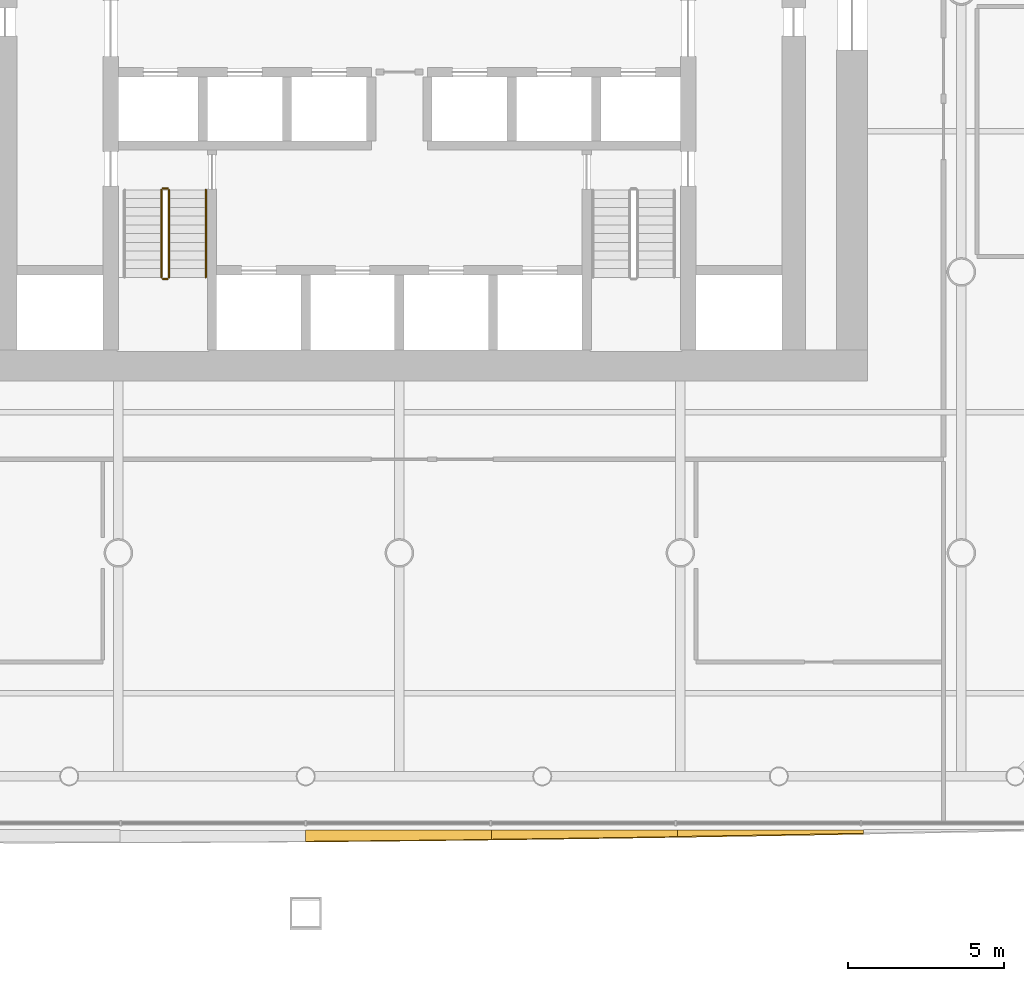
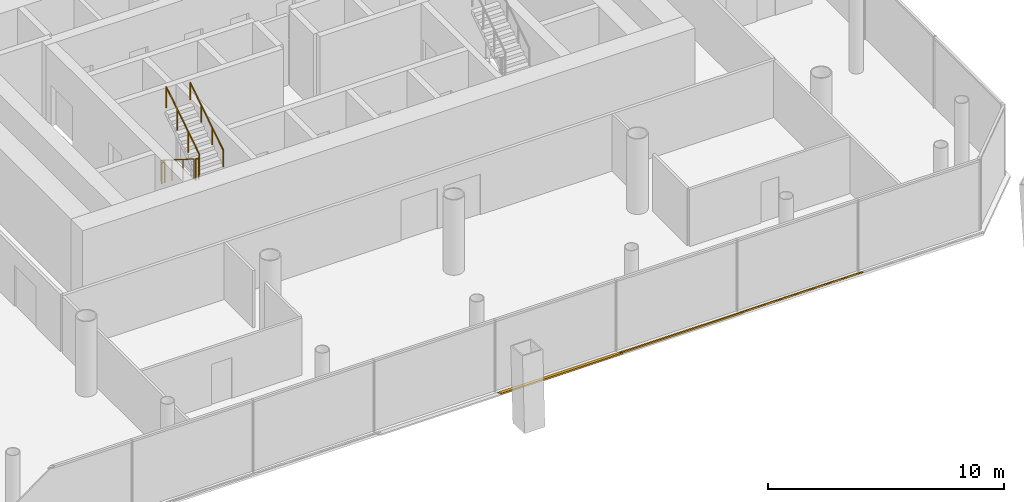
# One storey, part 18 of 21: 5 railings, 3 shading devices.
"""IFC4 building model written with IfcOpenShell, lengths in metres."""

from ifc_helpers import new_model, si_unit, direction, frame, origin, origin_2d, place, context, subcontext, project, spatial, polyline, circle, outline, extrude, material, layer, layer_set, type_object, element, save


model = new_model("IFC4")

# Units and contexts
model_context = context("Model", 3, precision=1e-05, world=origin(), true_north=direction((0.0, 1.0)))
body_context = subcontext(model_context, "Body", "Model", "MODEL_VIEW")
ifc_project = project(units=[si_unit("LENGTHUNIT", "METRE"), si_unit("AREAUNIT", "SQUARE_METRE"), si_unit("VOLUMEUNIT", "CUBIC_METRE"), si_unit("PLANEANGLEUNIT", "RADIAN"), si_unit("MASSUNIT", "GRAM", prefix="KILO")], contexts=[model_context])

# Site, building, storey
site_placement = place(None, origin())
site = spatial("IfcSite", under=ifc_project, at=site_placement, CompositionType="ELEMENT")
building_placement = place(site_placement, origin())
building = spatial("IfcBuilding", under=site, at=building_placement, Name="Tskaro Facet Tower", CompositionType="ELEMENT")
storey_placement = place(building_placement, frame((0.0, 0.0, 38.10009765625)))
storey = spatial("IfcBuildingStorey", under=building, at=storey_placement, Name="L08", CompositionType="ELEMENT", Elevation=38.10009765625)

# Shading devices
ifc_material_1 = material(Name="Bronze anodised aluminium 6063-T6", Category="aluminium")
ifc_layer = layer(ifc_material_1, 0.06005859375, Name="Bronze anodised aluminium 6063-T6")
ifc_layer_set = layer_set([ifc_layer], Name="Bronze anodised aluminium 6063-T6")
shading_device_type = type_object("IfcShadingDeviceType", Name="Bronze sun blade (FN1)", PredefinedType="USERDEFINED", material=ifc_layer_set)
shading_device_1_placement = place(storey_placement, frame((-3.0, -26.878662109375, 0.05419921875), z_axis=(-1.2414085e-05, 0.422835041695, 0.906206669232), x_axis=(0.999999999923, 5.24911e-06, 1.1249727e-05)))
element("IfcShadingDevice", 1, at=shading_device_1_placement, inside=storey, type_object=shading_device_type, Name="Fin blade south 5", ObjectType="FIN", PredefinedType="USERDEFINED", context=body_context, shape_type="SweptSolid", body=[
    extrude(outline(polyline([(0.0, 0.0), (5.95434570266619, 0.0), (5.954345703259251, -0.328432389800294), (5.20996093696609, -0.3383732693104354), (4.465576173235972, -0.34787166509533163), (3.721435545919326, -0.35694235659488693), (2.97705077925922, -0.36579180623181956), (2.2329101570686576, -0.3739775302808846), (1.4885253900416047, -0.3817355500446087), (0.744384766202575, -0.3890510860830876), (-1.1914243210552424e-09, -0.3957176759736029), (0.0, 0.0)])), origin(), (0.0, 0.0, -1.0), 0.06005859375),
])
shading_device_2_placement = place(storey_placement, frame((2.954345703125, -26.8740234375, 0.0517578125), z_axis=(-4.303762e-06, 0.500360745801, 0.865817026884), x_axis=(0.999999999991, 2.153434e-06, 3.726271e-06)))
element("IfcShadingDevice", 2, at=shading_device_2_placement, inside=storey, type_object=shading_device_type, Name="Fin blade south 6", ObjectType="FIN", PredefinedType="USERDEFINED", context=body_context, shape_type="SweptSolid", body=[
    extrude(outline(polyline([(0.0, 0.0), (5.954101562444858, 0.0), (5.954101562120978, -0.2455586146395341), (5.209960937364872, -0.2591253427092104), (4.465576171599775, -0.272358531283599), (3.7211914059764237, -0.28504679925261883), (2.977050781503812, -0.29752368611155766), (2.2326660160222094, -0.30966703347520874), (1.488525390781611, -0.32147684134357224), (0.7441406250577618, -0.3327417286065669), (-4.250828944236583e-10, -0.34367307637427397), (0.0, 0.0)])), origin(), (0.0, 0.0, -1.0), 0.06005859375),
])
shading_device_3_placement = place(storey_placement, frame((8.908447265625, -26.86962890625, 0.049072265625), z_axis=(3.52638e-07, 0.57362210061, 0.819120067933), x_axis=(1.0, -2.02281e-07, -2.88853e-07)))
element("IfcShadingDevice", 3, at=shading_device_3_placement, inside=storey, type_object=shading_device_type, Name="Fin blade south 7", ObjectType="FIN", PredefinedType="USERDEFINED", context=body_context, shape_type="SweptSolid", body=[
    extrude(outline(polyline([(0.0, 0.0), (5.95434570312463, 0.0), (5.95434570311983, -0.13532527803610764), (5.2099609374818785, -0.1514459136541745), (4.4658203125183125, -0.1677665297575767), (3.721435546901498, -0.18354714043215142), (2.977294921909682, -0.19932775110672613), (2.2329101562434817, -0.2149083812959655), (1.488525390598417, -0.23014898654171279), (0.744384765599488, -0.2450495668439679), (-3.305272311587948e-12, -0.25961012220273083), (0.0, 0.0)])), origin(), (0.0, 0.0, -1.0), 0.06005859375),
])

# Railings
ifc_material_2 = material(Name="Stainless steel", Category="steel")
railing_type_1 = type_object("IfcRailingType", Name="RL-GUARD-1100", PredefinedType="GUARDRAIL", material=ifc_material_2)
railing_1_placement = place(storey_placement, frame((-7.625, -6.375, 0.17724609375)))
element("IfcRailing", 4, at=railing_1_placement, inside=storey, type_object=railing_type_1, Name="L08 ST-1 stair guard 1", PredefinedType="GUARDRAIL", context=body_context, shape_type="SweptSolid", body=[
    extrude(circle(Radius=0.02392578125, at=origin_2d()), frame((0.0, 0.0, 1.076171875), z_axis=(0.0, -0.844908973607, 0.534910110503), x_axis=(1.0, 0.0, 0.0)), (0.0, 0.0, 1.0), 3.31396484375),
    extrude(circle(Radius=0.02099609375, at=origin_2d()), origin(), (0.0, 0.0, 1.0), 1.052001953125),
    extrude(circle(Radius=0.02099609375, at=origin_2d()), frame((0.0, -0.933349609375, 0.5908203125)), (0.0, 0.0, 1.0), 1.052001953125),
    extrude(circle(Radius=0.02099609375, at=origin_2d()), frame((0.0, -1.86669921875, 1.181884765625)), (0.0, 0.0, 1.0), 1.052001953125),
    extrude(circle(Radius=0.02099609375, at=origin_2d()), frame((0.0, -2.800048828125, 1.772705078125)), (0.0, 0.0, 1.0), 1.052001953125),
])
railing_2_placement = place(storey_placement, frame((-7.574951171875, -9.22509765625, 1.949951171875)))
element("IfcRailing", 5, at=railing_2_placement, inside=storey, type_object=railing_type_1, Name="L08 ST-1 stair guard 2", PredefinedType="GUARDRAIL", context=body_context, shape_type="SweptSolid", body=[
    extrude(circle(Radius=0.02392578125, at=origin_2d()), frame((0.0, 0.0, 1.076171875), z_axis=(1.0, 0.0, 0.0), x_axis=(0.0, 1.0, 0.0)), (0.0, 0.0, 1.0), 0.14990234375),
    extrude(circle(Radius=0.02099609375, at=origin_2d()), origin(), (0.0, 0.0, 1.0), 1.052001953125),
    extrude(circle(Radius=0.02099609375, at=origin_2d()), frame((0.14990234375, 0.0, 0.0)), (0.0, 0.0, 1.0), 1.052001953125),
])
railing_3_placement = place(storey_placement, frame((-7.375, -9.175048828125, 2.127197265625)))
element("IfcRailing", 6, at=railing_3_placement, inside=storey, type_object=railing_type_1, Name="L08 ST-1 stair guard 3", PredefinedType="GUARDRAIL", context=body_context, shape_type="SweptSolid", body=[
    extrude(circle(Radius=0.02392578125, at=origin_2d()), frame((0.0, 0.0, 1.076171875), z_axis=(0.0, 0.844908973607, 0.534910110503), x_axis=(-1.0, 0.0, 0.0)), (0.0, 0.0, 1.0), 3.31396484375),
    extrude(circle(Radius=0.02099609375, at=origin_2d()), origin(), (0.0, 0.0, 1.0), 1.052001953125),
    extrude(circle(Radius=0.02099609375, at=origin_2d()), frame((0.0, 0.933349609375, 0.5908203125)), (0.0, 0.0, 1.0), 1.052001953125),
    extrude(circle(Radius=0.02099609375, at=origin_2d()), frame((0.0, 1.86669921875, 1.181884765625)), (0.0, 0.0, 1.0), 1.052001953125),
    extrude(circle(Radius=0.02099609375, at=origin_2d()), frame((0.0, 2.800048828125, 1.772705078125)), (0.0, 0.0, 1.0), 1.052001953125),
])
railing_4_placement = place(storey_placement, frame((-7.574951171875, -6.324951171875, 0.0)))
element("IfcRailing", 7, at=railing_4_placement, inside=storey, type_object=railing_type_1, Name="L08 ST-1 stair guard 4", PredefinedType="GUARDRAIL", context=body_context, shape_type="SweptSolid", body=[
    extrude(circle(Radius=0.02392578125, at=origin_2d()), frame((0.0, 0.0, 1.076171875), z_axis=(1.0, 0.0, 0.0), x_axis=(0.0, 1.0, 0.0)), (0.0, 0.0, 1.0), 0.14990234375),
    extrude(circle(Radius=0.02099609375, at=origin_2d()), origin(), (0.0, 0.0, 1.0), 1.052001953125),
    extrude(circle(Radius=0.02099609375, at=origin_2d()), frame((0.14990234375, 0.0, 0.0)), (0.0, 0.0, 1.0), 1.052001953125),
])
railing_type_2 = type_object("IfcRailingType", Name="RL-HANDRAIL-900", PredefinedType="HANDRAIL", material=ifc_material_2)
railing_5_placement = place(storey_placement, frame((-6.199951171875, -9.175048828125, 2.127197265625)))
element("IfcRailing", 8, at=railing_5_placement, inside=storey, type_object=railing_type_2, Name="L08 ST-1 stair handrail 2", PredefinedType="HANDRAIL", context=body_context, shape_type="SweptSolid", body=[
    extrude(circle(Radius=0.02392578125, at=origin_2d()), frame((0.0, 0.0, 0.8759765625), z_axis=(0.0, 0.844908973607, 0.534910110503), x_axis=(-1.0, 0.0, 0.0)), (0.0, 0.0, 1.0), 3.31396484375),
    extrude(circle(Radius=0.02099609375, at=origin_2d()), origin(), (0.0, 0.0, 1.0), 0.851806640625),
    extrude(circle(Radius=0.02099609375, at=origin_2d()), frame((0.0, 0.933349609375, 0.5908203125)), (0.0, 0.0, 1.0), 0.851806640625),
    extrude(circle(Radius=0.02099609375, at=origin_2d()), frame((0.0, 1.86669921875, 1.181884765625)), (0.0, 0.0, 1.0), 0.851806640625),
    extrude(circle(Radius=0.02099609375, at=origin_2d()), frame((0.0, 2.800048828125, 1.772705078125)), (0.0, 0.0, 1.0), 0.851806640625),
])

save(model, "model.ifc")
